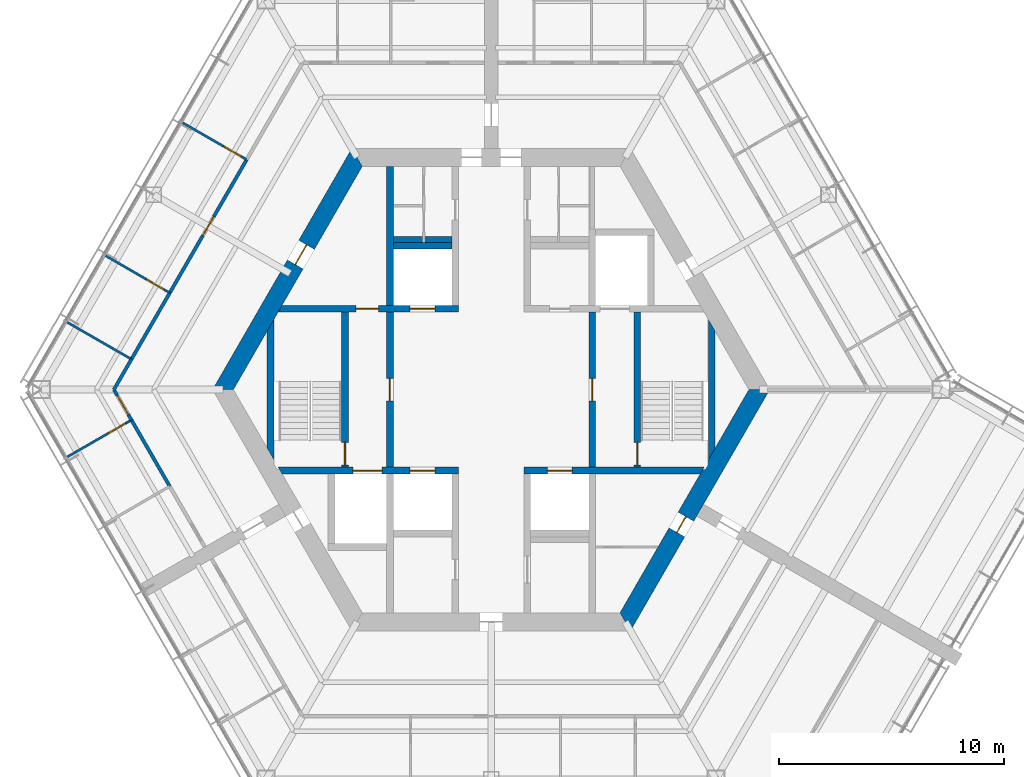
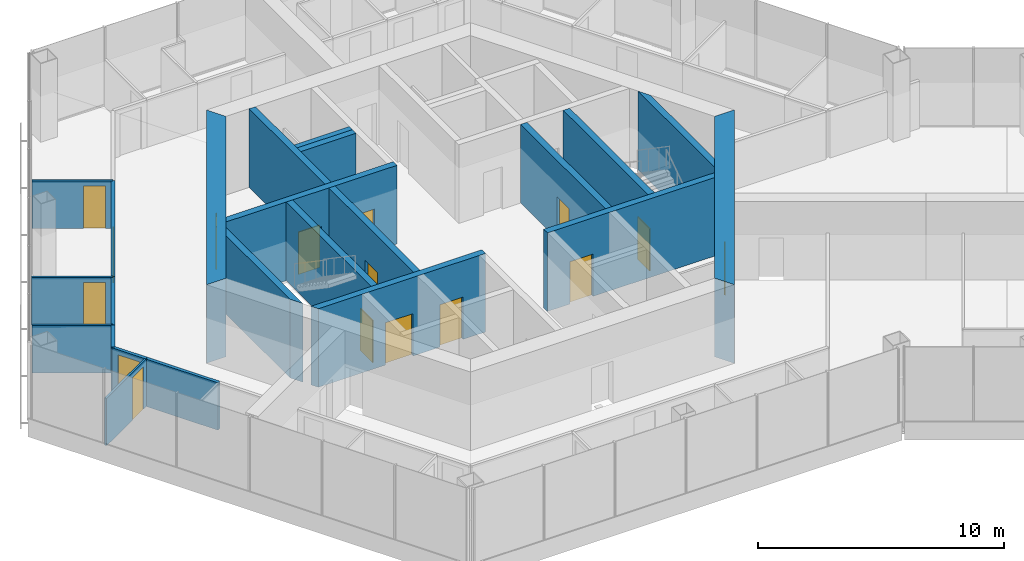
# One storey, part 8 of 13: 23 walls, 16 doors, 16 openings.
"""IFC4 building model written with IfcOpenShell, lengths in metres."""

from ifc_helpers import new_model, si_unit, direction, frame, frame_2d, origin, place, context, subcontext, project, spatial, polyline, rectangle, outline, extrude, material, layer, layer_set, type_object, element, fill, save


model = new_model("IFC4")

# Units and contexts
model_context = context("Model", 3, precision=1e-05, world=origin(), true_north=direction((0.0, 1.0)))
body_context = subcontext(model_context, "Body", "Model", "MODEL_VIEW")
ifc_project = project(units=[si_unit("LENGTHUNIT", "METRE"), si_unit("AREAUNIT", "SQUARE_METRE"), si_unit("VOLUMEUNIT", "CUBIC_METRE"), si_unit("PLANEANGLEUNIT", "RADIAN"), si_unit("MASSUNIT", "GRAM", prefix="KILO")], contexts=[model_context])

# Site, building, storey
site_placement = place(None, origin())
site = spatial("IfcSite", under=ifc_project, at=site_placement, CompositionType="ELEMENT")
building_placement = place(site_placement, origin())
building = spatial("IfcBuilding", under=site, at=building_placement, Name="Kasaneha Research Tower", CompositionType="ELEMENT")
storey_placement = place(building_placement, frame((0.0, 0.0, 298.60009765625)))
storey = spatial("IfcBuildingStorey", under=building, at=storey_placement, Name="L75", CompositionType="ELEMENT", Elevation=298.60009765625)

# Wall, openings, doors
ifc_material_1 = material(Name="Concrete Fc60", Category="concrete")
ifc_layer_1 = layer(ifc_material_1, 0.300048828125)
ifc_layer_set_1 = layer_set([ifc_layer_1], Name="Core internal wall 300 Fc60")
wall_type_1 = type_object("IfcWallType", Name="Core internal wall 300 Fc60", PredefinedType="SHEAR", material=ifc_layer_set_1)
wall_1_placement = place(storey_placement, frame((-9.3818359375, 3.60009765625, 0.0), z_axis=(0.0, 0.0, 1.0), x_axis=(1.0, 0.0, 0.0)))
wall_1 = element("IfcWall", 1, at=wall_1_placement, inside=storey, type_object=wall_type_1, Name="Core wall W1W L75", PredefinedType="SHEAR", context=body_context, shape_type="SweptSolid", body=[
    extrude(outline(polyline([(-0.086669921875, -0.14990234375), (3.3818359375, -0.14990234375), (4.3818359375, -0.14990234375), (5.781982421875, -0.14990234375), (6.882080078125, -0.14990234375), (7.931884765625, -0.14990234375), (7.931884765625, 0.14990234375), (6.882080078125, 0.14990234375), (5.781982421875, 0.14990234375), (4.3818359375, 0.14990234375), (3.3818359375, 0.14990234375), (0.086669921875, 0.14990234375), (-0.086669921875, -0.14990234375)])), origin(), (0.0, 0.0, 1.0), 3.89990234375),
])
opening_1_placement = place(wall_1_placement, frame((3.3818359375, 0.0, 0.0)))
opening_1 = element("IfcOpeningElement", 2, at=opening_1_placement, cuts=wall_1, Name="Opening L75-D12", PredefinedType="OPENING", context=body_context, shape_type="SweptSolid", body=[
    extrude(rectangle(XDim=1.0, YDim=2.10009765625, at=frame_2d((0.5, 1.050048828125))), frame((0.0, 0.16015625, 0.0), z_axis=(0.0, -1.0, 0.0), x_axis=(1.0, 0.0, 0.0)), (0.0, 0.0, 1.0), 0.320068359375),
])
opening_2_placement = place(wall_1_placement, frame((5.781982421875, 0.0, 0.0)))
opening_2 = element("IfcOpeningElement", 3, at=opening_2_placement, cuts=wall_1, Name="Opening LD-LH2-L75", PredefinedType="OPENING", context=body_context, shape_type="SweptSolid", body=[
    extrude(rectangle(XDim=1.10009765625, YDim=2.10009765625, at=frame_2d((0.550048828125, 1.050048828125))), frame((0.0, 0.16015625, 0.0), z_axis=(0.0, -1.0, 0.0), x_axis=(1.0, 0.0, 0.0)), (0.0, 0.0, 1.0), 0.320068359375),
])
ifc_material_2 = material(Name="Steel", Category="steel")
door_type_1 = type_object("IfcDoorType", Name="Lift landing door 1100x2100", OperationType="DOUBLE_DOOR_SLIDING", PredefinedType="DOOR", material=ifc_material_2)
door_1_placement = place(opening_2_placement, origin())
door_1 = element("IfcDoor", 4, at=door_1_placement, inside=storey, type_object=door_type_1, Name="Landing door LH2 LD-LH2-L75", OperationType="DOUBLE_DOOR_SLIDING", OverallHeight=2.10009765625, OverallWidth=1.10009765625, PredefinedType="DOOR", context=body_context, shape_type="SweptSolid", body=[
    extrude(rectangle(XDim=1.10009765625, YDim=2.10009765625, at=frame_2d((0.550048828125, 1.050048828125))), frame((0.0, 0.02490234375, 0.0), z_axis=(0.0, -1.0, 0.0), x_axis=(1.0, 0.0, 0.0)), (0.0, 0.0, 1.0), 0.050048828125),
])
fill(opening_2, door_1)
ifc_material_3 = material(Name="Steel", Category="steel")
door_type_2 = type_object("IfcDoorType", Name="Specified fire door FD60 1000x2100", OperationType="NOTDEFINED", PredefinedType="DOOR", material=ifc_material_3)
door_2_placement = place(opening_1_placement, origin())
door_2 = element("IfcDoor", 5, at=door_2_placement, inside=storey, type_object=door_type_2, Name="Vestibule to lobby door L75-D12", OperationType="SINGLE_SWING_LEFT", OverallHeight=2.10009765625, OverallWidth=1.0, PredefinedType="DOOR", context=body_context, shape_type="SweptSolid", body=[
    extrude(rectangle(XDim=1.0, YDim=2.10009765625, at=frame_2d((0.5, 1.050048828125))), frame((0.0, 0.02490234375, 0.0), z_axis=(0.0, -1.0, 0.0), x_axis=(1.0, 0.0, 0.0)), (0.0, 0.0, 1.0), 0.050048828125),
])
fill(opening_1, door_2)

wall_2_placement = place(storey_placement, frame((-9.3818359375, -3.60009765625, 0.0), z_axis=(0.0, 0.0, 1.0), x_axis=(1.0, 0.0, 0.0)))
wall_2 = element("IfcWall", 6, at=wall_2_placement, inside=storey, type_object=wall_type_1, Name="Core wall W2W L75", PredefinedType="SHEAR", context=body_context, shape_type="SweptSolid", body=[
    extrude(outline(polyline([(0.086669921875, -0.14990234375), (3.23193359375, -0.14990234375), (4.531982421875, -0.14990234375), (5.781982421875, -0.14990234375), (6.882080078125, -0.14990234375), (7.931884765625, -0.14990234375), (7.931884765625, 0.14990234375), (6.882080078125, 0.14990234375), (5.781982421875, 0.14990234375), (4.531982421875, 0.14990234375), (3.23193359375, 0.14990234375), (-0.086669921875, 0.14990234375), (0.086669921875, -0.14990234375)])), origin(), (0.0, 0.0, 1.0), 3.89990234375),
])
opening_3_placement = place(wall_2_placement, frame((5.781982421875, 0.0, 0.0)))
opening_3 = element("IfcOpeningElement", 7, at=opening_3_placement, cuts=wall_2, Name="Opening LD-LH1-L75", PredefinedType="OPENING", context=body_context, shape_type="SweptSolid", body=[
    extrude(rectangle(XDim=1.10009765625, YDim=2.10009765625, at=frame_2d((0.550048828125, 1.050048828125))), frame((0.0, 0.16015625, 0.0), z_axis=(0.0, -1.0, 0.0), x_axis=(1.0, 0.0, 0.0)), (0.0, 0.0, 1.0), 0.320068359375),
])
opening_4_placement = place(wall_2_placement, frame((3.23193359375, 0.0, 0.0)))
opening_4 = element("IfcOpeningElement", 8, at=opening_4_placement, cuts=wall_2, Name="Opening LD-FL2-L75", PredefinedType="OPENING", context=body_context, shape_type="SweptSolid", body=[
    extrude(rectangle(XDim=1.300048828125, YDim=2.10009765625, at=frame_2d((0.64990234375, 1.050048828125))), frame((0.0, 0.16015625, 0.0), z_axis=(0.0, -1.0, 0.0), x_axis=(1.0, 0.0, 0.0)), (0.0, 0.0, 1.0), 0.320068359375),
])
door_3_placement = place(opening_3_placement, origin())
door_3 = element("IfcDoor", 9, at=door_3_placement, inside=storey, type_object=door_type_1, Name="Landing door LH1 LD-LH1-L75", OperationType="DOUBLE_DOOR_SLIDING", OverallHeight=2.10009765625, OverallWidth=1.10009765625, PredefinedType="DOOR", context=body_context, shape_type="SweptSolid", body=[
    extrude(rectangle(XDim=1.10009765625, YDim=2.10009765625, at=frame_2d((0.550048828125, 1.050048828125))), frame((0.0, 0.02490234375, 0.0), z_axis=(0.0, -1.0, 0.0), x_axis=(1.0, 0.0, 0.0)), (0.0, 0.0, 1.0), 0.050048828125),
])
fill(opening_3, door_3)
ifc_material_4 = material(Name="Steel", Category="steel")
door_type_3 = type_object("IfcDoorType", Name="Lift landing door 1300x2100", OperationType="DOUBLE_DOOR_SLIDING", PredefinedType="DOOR", material=ifc_material_4)
door_4_placement = place(opening_4_placement, origin())
door_4 = element("IfcDoor", 10, at=door_4_placement, inside=storey, type_object=door_type_3, Name="Landing door FL2 LD-FL2-L75", OperationType="DOUBLE_DOOR_SLIDING", OverallHeight=2.10009765625, OverallWidth=1.300048828125, PredefinedType="DOOR", context=body_context, shape_type="SweptSolid", body=[
    extrude(rectangle(XDim=1.300048828125, YDim=2.10009765625, at=frame_2d((0.64990234375, 1.050048828125))), frame((0.0, 0.02490234375, 0.0), z_axis=(0.0, -1.0, 0.0), x_axis=(1.0, 0.0, 0.0)), (0.0, 0.0, 1.0), 0.050048828125),
])
fill(opening_4, door_4)

# Wall, opening, door
wall_3_placement = place(storey_placement, frame((1.449951171875, -3.60009765625, 0.0), z_axis=(0.0, 0.0, 1.0), x_axis=(1.0, 0.0, 0.0)))
wall_3 = element("IfcWall", 11, at=wall_3_placement, inside=storey, type_object=wall_type_1, Name="Core wall W2E L75", PredefinedType="SHEAR", context=body_context, shape_type="SweptSolid", body=[
    extrude(outline(polyline([(0.0, -0.14990234375), (1.050048828125, -0.14990234375), (2.150146484375, -0.14990234375), (7.84521484375, -0.14990234375), (8.0185546875, 0.14990234375), (2.150146484375, 0.14990234375), (1.050048828125, 0.14990234375), (0.0, 0.14990234375), (0.0, -0.14990234375)])), origin(), (0.0, 0.0, 1.0), 3.89990234375),
])
opening_5_placement = place(wall_3_placement, frame((1.050048828125, 0.0, 0.0)))
opening_5 = element("IfcOpeningElement", 12, at=opening_5_placement, cuts=wall_3, Name="Opening LD-LH3-L75", PredefinedType="OPENING", context=body_context, shape_type="SweptSolid", body=[
    extrude(rectangle(XDim=1.10009765625, YDim=2.10009765625, at=frame_2d((0.550048828125, 1.050048828125))), frame((0.0, 0.16015625, 0.0), z_axis=(0.0, -1.0, 0.0), x_axis=(1.0, 0.0, 0.0)), (0.0, 0.0, 1.0), 0.320068359375),
])
door_5_placement = place(opening_5_placement, origin())
door_5 = element("IfcDoor", 13, at=door_5_placement, inside=storey, type_object=door_type_1, Name="Landing door LH3 LD-LH3-L75", OperationType="DOUBLE_DOOR_SLIDING", OverallHeight=2.10009765625, OverallWidth=1.10009765625, PredefinedType="DOOR", context=body_context, shape_type="SweptSolid", body=[
    extrude(rectangle(XDim=1.10009765625, YDim=2.10009765625, at=frame_2d((0.550048828125, 1.050048828125))), frame((0.0, 0.02490234375, 0.0), z_axis=(0.0, -1.0, 0.0), x_axis=(1.0, 0.0, 0.0)), (0.0, 0.0, 1.0), 0.050048828125),
])
fill(opening_5, door_5)

wall_4_placement = place(storey_placement, frame((-4.5, -3.449951171875, 0.0), z_axis=(0.0, 0.0, 1.0), x_axis=(0.0, 1.0, 0.0)))
wall_4 = element("IfcWall", 14, at=wall_4_placement, inside=storey, type_object=wall_type_1, Name="Core wall LBW L75", PredefinedType="SHEAR", context=body_context, shape_type="SweptSolid", body=[
    extrude(rectangle(XDim=6.89990234375, YDim=0.300048828125, at=frame_2d((3.449951171875, 0.0))), origin(), (0.0, 0.0, 1.0), 3.89990234375),
])
opening_6_placement = place(wall_4_placement, frame((2.949951171875, 0.0, 0.0)))
opening_6 = element("IfcOpeningElement", 15, at=opening_6_placement, cuts=wall_4, Name="Opening L75-D09", PredefinedType="OPENING", context=body_context, shape_type="SweptSolid", body=[
    extrude(rectangle(XDim=1.0, YDim=2.10009765625, at=frame_2d((0.5, 1.050048828125))), frame((0.0, 0.16015625, 0.0), z_axis=(0.0, -1.0, 0.0), x_axis=(1.0, 0.0, 0.0)), (0.0, 0.0, 1.0), 0.320068359375),
])
door_6_placement = place(opening_6_placement, origin())
door_6 = element("IfcDoor", 16, at=door_6_placement, inside=storey, type_object=door_type_2, Name="Lift lobby door west L75-D09", OperationType="SINGLE_SWING_LEFT", OverallHeight=2.10009765625, OverallWidth=1.0, PredefinedType="DOOR", context=body_context, shape_type="SweptSolid", body=[
    extrude(rectangle(XDim=1.0, YDim=2.10009765625, at=frame_2d((0.5, 1.050048828125))), frame((0.0, 0.02490234375, 0.0), z_axis=(0.0, -1.0, 0.0), x_axis=(1.0, 0.0, 0.0)), (0.0, 0.0, 1.0), 0.050048828125),
])
fill(opening_6, door_6)

wall_5_placement = place(storey_placement, frame((4.5, -3.449951171875, 0.0), z_axis=(0.0, 0.0, 1.0), x_axis=(0.0, 1.0, 0.0)))
wall_5 = element("IfcWall", 17, at=wall_5_placement, inside=storey, type_object=wall_type_1, Name="Core wall LBE L75", PredefinedType="SHEAR", context=body_context, shape_type="SweptSolid", body=[
    extrude(rectangle(XDim=6.89990234375, YDim=0.300048828125, at=frame_2d((3.449951171875, 0.0))), origin(), (0.0, 0.0, 1.0), 3.89990234375),
])
opening_7_placement = place(wall_5_placement, frame((2.949951171875, 0.0, 0.0)))
opening_7 = element("IfcOpeningElement", 18, at=opening_7_placement, cuts=wall_5, Name="Opening L75-D08", PredefinedType="OPENING", context=body_context, shape_type="SweptSolid", body=[
    extrude(rectangle(XDim=1.0, YDim=2.10009765625, at=frame_2d((0.5, 1.050048828125))), frame((0.0, 0.16015625, 0.0), z_axis=(0.0, -1.0, 0.0), x_axis=(1.0, 0.0, 0.0)), (0.0, 0.0, 1.0), 0.320068359375),
])
door_7_placement = place(opening_7_placement, origin())
door_7 = element("IfcDoor", 19, at=door_7_placement, inside=storey, type_object=door_type_2, Name="Lift lobby door east L75-D08", OperationType="SINGLE_SWING_LEFT", OverallHeight=2.10009765625, OverallWidth=1.0, PredefinedType="DOOR", context=body_context, shape_type="SweptSolid", body=[
    extrude(rectangle(XDim=1.0, YDim=2.10009765625, at=frame_2d((0.5, 1.050048828125))), frame((0.0, 0.02490234375, 0.0), z_axis=(0.0, -1.0, 0.0), x_axis=(1.0, 0.0, 0.0)), (0.0, 0.0, 1.0), 0.050048828125),
])
fill(opening_7, door_7)

wall_6_placement = place(storey_placement, frame((-6.5, -3.449951171875, 0.0), z_axis=(0.0, 0.0, 1.0), x_axis=(0.0, 1.0, 0.0)))
wall_6 = element("IfcWall", 20, at=wall_6_placement, inside=storey, type_object=wall_type_1, Name="Core wall ANW L75", PredefinedType="SHEAR", context=body_context, shape_type="SweptSolid", body=[
    extrude(rectangle(XDim=6.89990234375, YDim=0.300048828125, at=frame_2d((3.449951171875, 0.0))), origin(), (0.0, 0.0, 1.0), 3.89990234375),
])
opening_8_placement = place(wall_6_placement, frame((0.10009765625, 0.0, 0.0)))
opening_8 = element("IfcOpeningElement", 21, at=opening_8_placement, cuts=wall_6, Name="Opening L75-D11", PredefinedType="OPENING", context=body_context, shape_type="SweptSolid", body=[
    extrude(rectangle(XDim=1.0, YDim=2.10009765625, at=frame_2d((0.5, 1.050048828125))), frame((0.0, 0.16015625, 0.0), z_axis=(0.0, -1.0, 0.0), x_axis=(1.0, 0.0, 0.0)), (0.0, 0.0, 1.0), 0.320068359375),
])
door_8_placement = place(opening_8_placement, origin())
door_8 = element("IfcDoor", 22, at=door_8_placement, inside=storey, type_object=door_type_2, Name="Stair 2 door L75-D11", OperationType="SINGLE_SWING_LEFT", OverallHeight=2.10009765625, OverallWidth=1.0, PredefinedType="DOOR", context=body_context, shape_type="SweptSolid", body=[
    extrude(rectangle(XDim=1.0, YDim=2.10009765625, at=frame_2d((0.5, 1.050048828125))), frame((0.0, 0.02490234375, 0.0), z_axis=(0.0, -1.0, 0.0), x_axis=(1.0, 0.0, 0.0)), (0.0, 0.0, 1.0), 0.050048828125),
])
fill(opening_8, door_8)

wall_7_placement = place(storey_placement, frame((6.5, -3.449951171875, 0.0), z_axis=(0.0, 0.0, 1.0), x_axis=(0.0, 1.0, 0.0)))
wall_7 = element("IfcWall", 23, at=wall_7_placement, inside=storey, type_object=wall_type_1, Name="Core wall ANE L75", PredefinedType="SHEAR", context=body_context, shape_type="SweptSolid", body=[
    extrude(rectangle(XDim=6.89990234375, YDim=0.300048828125, at=frame_2d((3.449951171875, 0.0))), origin(), (0.0, 0.0, 1.0), 3.89990234375),
])
opening_9_placement = place(wall_7_placement, frame((0.10009765625, 0.0, 0.0)))
opening_9 = element("IfcOpeningElement", 24, at=opening_9_placement, cuts=wall_7, Name="Opening L75-D10", PredefinedType="OPENING", context=body_context, shape_type="SweptSolid", body=[
    extrude(rectangle(XDim=1.0, YDim=2.10009765625, at=frame_2d((0.5, 1.050048828125))), frame((0.0, 0.16015625, 0.0), z_axis=(0.0, -1.0, 0.0), x_axis=(1.0, 0.0, 0.0)), (0.0, 0.0, 1.0), 0.320068359375),
])
door_9_placement = place(opening_9_placement, origin())
door_9 = element("IfcDoor", 25, at=door_9_placement, inside=storey, type_object=door_type_2, Name="Stair 1 door L75-D10", OperationType="SINGLE_SWING_LEFT", OverallHeight=2.10009765625, OverallWidth=1.0, PredefinedType="DOOR", context=body_context, shape_type="SweptSolid", body=[
    extrude(rectangle(XDim=1.0, YDim=2.10009765625, at=frame_2d((0.5, 1.050048828125))), frame((0.0, 0.02490234375, 0.0), z_axis=(0.0, -1.0, 0.0), x_axis=(1.0, 0.0, 0.0)), (0.0, 0.0, 1.0), 0.050048828125),
])
fill(opening_9, door_9)

# Walls
wall_8_placement = place(storey_placement, frame((-4.5, 3.75, 0.0), z_axis=(0.0, 0.0, 1.0), x_axis=(0.0, 1.0, 0.0)))
element("IfcWall", 26, at=wall_8_placement, inside=storey, type_object=wall_type_1, Name="Core wall VNW L75", PredefinedType="SHEAR", context=body_context, shape_type="SweptSolid", body=[
    extrude(rectangle(XDim=6.175048828125, YDim=0.300048828125, at=frame_2d((3.08740234375, 0.0))), origin(), (0.0, 0.0, 1.0), 3.89990234375),
])
wall_9_placement = place(storey_placement, frame((-4.35009765625, 6.39990234375, 0.0), z_axis=(0.0, 0.0, 1.0), x_axis=(1.0, 0.0, 0.0)))
element("IfcWall", 27, at=wall_9_placement, inside=storey, type_object=wall_type_1, Name="Core wall N1N L75", PredefinedType="SHEAR", context=body_context, shape_type="SweptSolid", body=[
    extrude(rectangle(XDim=2.60009765625, YDim=0.300048828125, at=frame_2d((1.300048828125, 0.0))), origin(), (0.0, 0.0, 1.0), 3.89990234375),
])
wall_10_placement = place(storey_placement, frame((9.807861328125, -2.8623046875, 0.0), z_axis=(0.0, 0.0, 1.0), x_axis=(0.0, 1.0, 0.0)))
element("IfcWall", 28, at=wall_10_placement, inside=storey, type_object=wall_type_1, Name="Core wall STE L75", PredefinedType="SHEAR", context=body_context, shape_type="SweptSolid", body=[
    extrude(outline(polyline([(0.259765625, -0.14990234375), (5.46484375, -0.14990234375), (5.984375, 0.14990234375), (-0.259765625, 0.14990234375), (0.259765625, -0.14990234375)])), origin(), (0.0, 0.0, 1.0), 3.89990234375),
])
wall_11_placement = place(storey_placement, frame((-9.807861328125, -2.8623046875, 0.0), z_axis=(0.0, 0.0, 1.0), x_axis=(0.0, 1.0, 0.0)))
element("IfcWall", 29, at=wall_11_placement, inside=storey, type_object=wall_type_1, Name="Core wall STW L75", PredefinedType="SHEAR", context=body_context, shape_type="SweptSolid", body=[
    extrude(outline(polyline([(-0.259765625, -0.14990234375), (5.984375, -0.14990234375), (5.46484375, 0.14990234375), (0.259765625, 0.14990234375), (-0.259765625, -0.14990234375)])), origin(), (0.0, 0.0, 1.0), 3.89990234375),
])

# Wall, opening, door
ifc_material_5 = material(Name="Concrete Fc60", Category="concrete")
ifc_layer_2 = layer(ifc_material_5, 0.800048828125)
ifc_layer_set_2 = layer_set([ifc_layer_2], Name="Core wall 800 Fc60")
wall_type_2 = type_object("IfcWallType", Name="Core wall 800 Fc60", PredefinedType="SHEAR", material=ifc_layer_set_2)
wall_12_placement = place(storey_placement, frame((-5.961181640625, 10.324951171875, 0.0), z_axis=(0.0, 0.0, 1.0), x_axis=(-0.500004296715, -0.866022923061, 0.0)))
wall_12 = element("IfcWall", 30, at=wall_12_placement, inside=storey, type_object=wall_type_2, Name="Core wall 150 L75", PredefinedType="SHEAR", context=body_context, shape_type="SweptSolid", body=[
    extrude(outline(polyline([(-0.23095703125, -0.39990234375), (4.494140625, -0.39990234375), (5.494140625, -0.39990234375), (12.1533203125, -0.39990234375), (11.69140625, 0.39990234375), (5.494140625, 0.39990234375), (4.494140625, 0.39990234375), (0.23095703125, 0.39990234375), (-0.23095703125, -0.39990234375)])), origin(), (0.0, 0.0, 1.0), 3.89990234375),
])
opening_10_placement = place(wall_12_placement, frame((4.494140625, 0.0, 0.0)))
opening_10 = element("IfcOpeningElement", 31, at=opening_10_placement, cuts=wall_12, Name="Opening L75-D07", PredefinedType="OPENING", context=body_context, shape_type="SweptSolid", body=[
    extrude(rectangle(XDim=1.0, YDim=2.10009765625, at=frame_2d((0.5, 1.050048828125))), frame((0.0, 0.41015625, 0.0), z_axis=(0.0, -1.0, 0.0), x_axis=(1.0, 0.0, 0.0)), (0.0, 0.0, 1.0), 0.820068359375),
])
ifc_material_6 = material(Name="Steel", Category="steel")
door_type_4 = type_object("IfcDoorType", Name="Fire door FD20 1000x2100", OperationType="NOTDEFINED", PredefinedType="DOOR", material=ifc_material_6)
door_10_placement = place(opening_10_placement, origin())
door_10 = element("IfcDoor", 32, at=door_10_placement, inside=storey, type_object=door_type_4, Name="Vestibule door L75-D07", OperationType="SINGLE_SWING_LEFT", OverallHeight=2.10009765625, OverallWidth=1.0, PredefinedType="DOOR", context=body_context, shape_type="SweptSolid", body=[
    extrude(rectangle(XDim=1.0, YDim=2.10009765625, at=frame_2d((0.5, 1.050048828125))), frame((0.0, 0.02490234375, 0.0), z_axis=(0.0, -1.0, 0.0), x_axis=(1.0, 0.0, 0.0)), (0.0, 0.0, 1.0), 0.050048828125),
])
fill(opening_10, door_10)

wall_13_placement = place(storey_placement, frame((5.961181640625, -10.324951171875, 0.0), z_axis=(0.0, 0.0, 1.0), x_axis=(0.500004296715, 0.866022923061, 0.0)))
wall_13 = element("IfcWall", 33, at=wall_13_placement, inside=storey, type_object=wall_type_2, Name="Core wall 330 L75", PredefinedType="SHEAR", context=body_context, shape_type="SweptSolid", body=[
    extrude(outline(polyline([(-0.23095703125, -0.39990234375), (4.593994140625, -0.39990234375), (5.39404296875, -0.39990234375), (12.1533203125, -0.39990234375), (11.69140625, 0.39990234375), (5.39404296875, 0.39990234375), (4.593994140625, 0.39990234375), (0.23095703125, 0.39990234375), (-0.23095703125, -0.39990234375)])), origin(), (0.0, 0.0, 1.0), 3.89990234375),
])
opening_11_placement = place(wall_13_placement, frame((4.593994140625, 0.0, 0.0)))
opening_11 = element("IfcOpeningElement", 34, at=opening_11_placement, cuts=wall_13, Name="Opening L75-D05", PredefinedType="OPENING", context=body_context, shape_type="SweptSolid", body=[
    extrude(rectangle(XDim=0.800048828125, YDim=2.10009765625, at=frame_2d((0.39990234375, 1.050048828125))), frame((0.0, 0.41015625, 0.0), z_axis=(0.0, -1.0, 0.0), x_axis=(1.0, 0.0, 0.0)), (0.0, 0.0, 1.0), 0.820068359375),
])
ifc_material_7 = material(Name="Steel", Category="steel")
door_type_5 = type_object("IfcDoorType", Name="Riser access door FD60 800x2100", OperationType="NOTDEFINED", PredefinedType="DOOR", material=ifc_material_7)
door_11_placement = place(opening_11_placement, origin())
door_11 = element("IfcDoor", 35, at=door_11_placement, inside=storey, type_object=door_type_5, Name="Pipe riser door L75-D05", OperationType="SINGLE_SWING_LEFT", OverallHeight=2.10009765625, OverallWidth=0.800048828125, PredefinedType="DOOR", context=body_context, shape_type="SweptSolid", body=[
    extrude(rectangle(XDim=0.800048828125, YDim=2.10009765625, at=frame_2d((0.39990234375, 1.050048828125))), frame((0.0, 0.02490234375, 0.0), z_axis=(0.0, -1.0, 0.0), x_axis=(1.0, 0.0, 0.0)), (0.0, 0.0, 1.0), 0.050048828125),
])
fill(opening_11, door_11)

ifc_material_8 = material(Name="Gypsum board on steel studs, one layer each side", Category="steel")
ifc_layer_3 = layer(ifc_material_8, 0.10009765625)
ifc_layer_set_3 = layer_set([ifc_layer_3], Name="Office partition 100")
wall_type_3 = type_object("IfcWallType", Name="Office partition 100", PredefinedType="PARTITIONING", material=ifc_layer_set_3)
wall_14_placement = place(storey_placement, frame((-10.868896484375, 10.224365234375, 0.0), z_axis=(0.0, 0.0, 1.0), x_axis=(-0.866757761015, 0.498729369218, 0.0)))
wall_14 = element("IfcWall", 36, at=wall_14_placement, inside=storey, type_object=wall_type_3, Name="Office partition FBN08 L75", PredefinedType="PARTITIONING", context=body_context, shape_type="SweptSolid", body=[
    extrude(rectangle(XDim=3.28564453125, YDim=0.10009765625, at=frame_2d((1.642822265625, 0.0))), origin(), (0.0, 0.0, 1.0), 2.349853515625),
])
opening_12_placement = place(wall_14_placement, frame((0.300048828125, 0.0, 0.0)))
opening_12 = element("IfcOpeningElement", 37, at=opening_12_placement, cuts=wall_14, Name="Opening L75-D40", PredefinedType="OPENING", context=body_context, shape_type="SweptSolid", body=[
    extrude(rectangle(XDim=0.89990234375, YDim=2.10009765625, at=frame_2d((0.449951171875, 1.050048828125))), frame((0.0, 0.06005859375, 0.0), z_axis=(0.0, -1.0, 0.0), x_axis=(1.0, 0.0, 0.0)), (0.0, 0.0, 1.0), 0.1201171875),
])
ifc_material_9 = material(Name="Timber veneer", Category="wood")
door_type_6 = type_object("IfcDoorType", Name="Office door 900x2100", OperationType="SINGLE_SWING_LEFT", PredefinedType="DOOR", material=ifc_material_9)
door_12_placement = place(opening_12_placement, origin())
door_12 = element("IfcDoor", 38, at=door_12_placement, inside=storey, type_object=door_type_6, Name="Executive office door L75-D40", OperationType="SINGLE_SWING_LEFT", OverallHeight=2.10009765625, OverallWidth=0.89990234375, PredefinedType="DOOR", context=body_context, shape_type="SweptSolid", body=[
    extrude(rectangle(XDim=0.89990234375, YDim=2.10009765625, at=frame_2d((0.449951171875, 1.050048828125))), frame((0.0, 0.02490234375, 0.0), z_axis=(0.0, -1.0, 0.0), x_axis=(1.0, 0.0, 0.0)), (0.0, 0.0, 1.0), 0.050048828125),
])
fill(opening_12, door_12)

wall_15_placement = place(storey_placement, frame((-17.15380859375, 5.9599609375, 0.0), z_axis=(0.0, 0.0, 1.0), x_axis=(0.865342122637, -0.501181614577, 0.0)))
wall_15 = element("IfcWall", 39, at=wall_15_placement, inside=storey, type_object=wall_type_3, Name="Office partition FBN09 L75", PredefinedType="PARTITIONING", context=body_context, shape_type="SweptSolid", body=[
    extrude(rectangle(XDim=3.310546875, YDim=0.10009765625, at=frame_2d((1.6552734375, 0.0))), origin(), (0.0, 0.0, 1.0), 2.349853515625),
])
opening_13_placement = place(wall_15_placement, frame((2.110595703125, 0.0, 0.0)))
opening_13 = element("IfcOpeningElement", 40, at=opening_13_placement, cuts=wall_15, Name="Opening L75-D41", PredefinedType="OPENING", context=body_context, shape_type="SweptSolid", body=[
    extrude(rectangle(XDim=0.89990234375, YDim=2.10009765625, at=frame_2d((0.449951171875, 1.050048828125))), frame((0.0, 0.06005859375, 0.0), z_axis=(0.0, -1.0, 0.0), x_axis=(1.0, 0.0, 0.0)), (0.0, 0.0, 1.0), 0.1201171875),
])
door_13_placement = place(opening_13_placement, origin())
door_13 = element("IfcDoor", 41, at=door_13_placement, inside=storey, type_object=door_type_6, Name="Board meeting room door L75-D41", OperationType="SINGLE_SWING_RIGHT", OverallHeight=2.10009765625, OverallWidth=0.89990234375, PredefinedType="DOOR", context=body_context, shape_type="SweptSolid", body=[
    extrude(rectangle(XDim=0.89990234375, YDim=2.10009765625, at=frame_2d((0.449951171875, 1.050048828125))), frame((0.0, 0.02490234375, 0.0), z_axis=(0.0, -1.0, 0.0), x_axis=(1.0, 0.0, 0.0)), (0.0, 0.0, 1.0), 0.050048828125),
])
fill(opening_13, door_13)

# Wall
wall_16_placement = place(storey_placement, frame((-15.9921875, 1.3505859375, 0.0), z_axis=(0.0, 0.0, 1.0), x_axis=(-0.866707153418, 0.498817311462, 0.0)))
element("IfcWall", 42, at=wall_16_placement, inside=storey, type_object=wall_type_3, Name="Office partition FBN10 L75", PredefinedType="PARTITIONING", context=body_context, shape_type="SweptSolid", body=[
    extrude(rectangle(XDim=3.28564453125, YDim=0.10009765625, at=frame_2d((1.642822265625, 0.0))), origin(), (0.0, 0.0, 1.0), 2.349853515625),
])

# Wall, opening, door
wall_17_placement = place(storey_placement, frame((-18.83984375, -2.989501953125, 0.0), z_axis=(0.0, 0.0, 1.0), x_axis=(0.866707153418, 0.498817311462, 0.0)))
wall_17 = element("IfcWall", 43, at=wall_17_placement, inside=storey, type_object=wall_type_3, Name="Office partition FBN12 L75", PredefinedType="PARTITIONING", context=body_context, shape_type="SweptSolid", body=[
    extrude(rectangle(XDim=3.28564453125, YDim=0.10009765625, at=frame_2d((1.642822265625, 0.0))), origin(), (0.0, 0.0, 1.0), 2.349853515625),
])
opening_14_placement = place(wall_17_placement, frame((2.085693359375, 0.0, 0.0)))
opening_14 = element("IfcOpeningElement", 44, at=opening_14_placement, cuts=wall_17, Name="Opening L75-D42", PredefinedType="OPENING", context=body_context, shape_type="SweptSolid", body=[
    extrude(rectangle(XDim=0.89990234375, YDim=2.10009765625, at=frame_2d((0.449951171875, 1.050048828125))), frame((0.0, 0.06005859375, 0.0), z_axis=(0.0, -1.0, 0.0), x_axis=(1.0, 0.0, 0.0)), (0.0, 0.0, 1.0), 0.1201171875),
])
door_14_placement = place(opening_14_placement, origin())
door_14 = element("IfcDoor", 45, at=door_14_placement, inside=storey, type_object=door_type_6, Name="Executive office door L75-D42", OperationType="SINGLE_SWING_RIGHT", OverallHeight=2.10009765625, OverallWidth=0.89990234375, PredefinedType="DOOR", context=body_context, shape_type="SweptSolid", body=[
    extrude(rectangle(XDim=0.89990234375, YDim=2.10009765625, at=frame_2d((0.449951171875, 1.050048828125))), frame((0.0, 0.02490234375, 0.0), z_axis=(0.0, -1.0, 0.0), x_axis=(1.0, 0.0, 0.0)), (0.0, 0.0, 1.0), 0.050048828125),
])
fill(opening_14, door_14)

# Walls
ifc_material_10 = material(Name="Gypsum board on steel studs, two layers each side", Category="steel")
ifc_layer_4 = layer(ifc_material_10, 0.14990234375)
ifc_layer_set_4 = layer_set([ifc_layer_4], Name="Suite partition 150")
wall_type_4 = type_object("IfcWallType", Name="Suite partition 150", PredefinedType="PARTITIONING", material=ifc_layer_set_4)
for number, where, z_axis, x_axis, name in (
    (46, (-15.9970703125, 1.34228515625, 0.0), (0.0, 0.0, 1.0), (0.500032973541, 0.866006365664, 0.0), "Suite partition FBN02 L75"),
    (47, (-14.2841796875, -4.308837890625, 0.0), (0.0, 0.0, 1.0), (-0.500032973541, 0.866006365664, 0.0), "Suite partition FBN03 L75"),
):
    element("IfcWall", number, at=place(storey_placement, frame(where, z_axis=z_axis, x_axis=x_axis)), inside=storey, type_object=wall_type_4, Name=name, PredefinedType="PARTITIONING", context=body_context, shape_type="SweptSolid", body=[
        extrude(rectangle(XDim=3.425537109375, YDim=0.14990234375, at=frame_2d((1.712890625, 0.0))), origin(), (0.0, 0.0, 1.0), 2.349853515625),
    ])

# Wall, opening, door
wall_18_placement = place(storey_placement, frame((-14.2890625, 4.30078125, 0.0), z_axis=(0.0, 0.0, 1.0), x_axis=(0.500020088259, 0.866013805512, 0.0)))
wall_18 = element("IfcWall", 48, at=wall_18_placement, inside=storey, type_object=wall_type_4, Name="Suite partition FBN05 L75", PredefinedType="PARTITIONING", context=body_context, shape_type="SweptSolid", body=[
    extrude(rectangle(XDim=6.840087890625, YDim=0.14990234375, at=frame_2d((3.419921875, 0.0))), origin(), (0.0, 0.0, 1.0), 2.349853515625),
])
opening_15_placement = place(wall_18_placement, frame((2.919921875, 0.0, 0.0)))
opening_15 = element("IfcOpeningElement", 49, at=opening_15_placement, cuts=wall_18, Name="Opening L75-D38", PredefinedType="OPENING", context=body_context, shape_type="SweptSolid", body=[
    extrude(rectangle(XDim=1.0, YDim=2.10009765625, at=frame_2d((0.5, 1.050048828125))), frame((0.0, 0.0849609375, 0.0), z_axis=(0.0, -1.0, 0.0), x_axis=(1.0, 0.0, 0.0)), (0.0, 0.0, 1.0), 0.169921875),
])
ifc_material_11 = material(Name="Steel", Category="steel")
door_type_7 = type_object("IfcDoorType", Name="Suite entrance door FD60 1000x2100", OperationType="NOTDEFINED", PredefinedType="DOOR", material=ifc_material_11)
door_15_placement = place(opening_15_placement, origin())
door_15 = element("IfcDoor", 50, at=door_15_placement, inside=storey, type_object=door_type_7, Name="Suite entrance door L75-D38", OperationType="SINGLE_SWING_RIGHT", OverallHeight=2.10009765625, OverallWidth=1.0, PredefinedType="DOOR", context=body_context, shape_type="SweptSolid", body=[
    extrude(rectangle(XDim=1.0, YDim=2.10009765625, at=frame_2d((0.5, 1.050048828125))), frame((0.0, 0.02490234375, 0.0), z_axis=(0.0, -1.0, 0.0), x_axis=(1.0, 0.0, 0.0)), (0.0, 0.0, 1.0), 0.050048828125),
])
fill(opening_15, door_15)

# Wall
wall_19_placement = place(storey_placement, frame((-16.77197265625, 0.0, 0.0), z_axis=(0.0, 0.0, 1.0), x_axis=(0.500011542666, 0.866018739521, 0.0)))
element("IfcWall", 51, at=wall_19_placement, inside=storey, type_object=wall_type_4, Name="Suite partition FBN06 L75", PredefinedType="PARTITIONING", context=body_context, shape_type="SweptSolid", body=[
    extrude(rectangle(XDim=1.5595703125, YDim=0.14990234375, at=frame_2d((0.77978515625, 0.0))), origin(), (0.0, 0.0, 1.0), 2.349853515625),
])

# Wall, opening, door
wall_20_placement = place(storey_placement, frame((-15.9921875, -1.3505859375, 0.0), z_axis=(0.0, 0.0, 1.0), x_axis=(-0.500011542666, 0.866018739521, 0.0)))
wall_20 = element("IfcWall", 52, at=wall_20_placement, inside=storey, type_object=wall_type_4, Name="Suite partition FBN07 L75", PredefinedType="PARTITIONING", context=body_context, shape_type="SweptSolid", body=[
    extrude(rectangle(XDim=1.5595703125, YDim=0.14990234375, at=frame_2d((0.77978515625, 0.0))), origin(), (0.0, 0.0, 1.0), 2.349853515625),
])
opening_16_placement = place(wall_20_placement, frame((0.27978515625, 0.0, 0.0)))
opening_16 = element("IfcOpeningElement", 53, at=opening_16_placement, cuts=wall_20, Name="Opening L75-D39", PredefinedType="OPENING", context=body_context, shape_type="SweptSolid", body=[
    extrude(rectangle(XDim=1.0, YDim=2.10009765625, at=frame_2d((0.5, 1.050048828125))), frame((0.0, 0.0849609375, 0.0), z_axis=(0.0, -1.0, 0.0), x_axis=(1.0, 0.0, 0.0)), (0.0, 0.0, 1.0), 0.169921875),
])
door_16_placement = place(opening_16_placement, origin())
door_16 = element("IfcDoor", 54, at=door_16_placement, inside=storey, type_object=door_type_7, Name="Suite entrance door L75-D39", OperationType="SINGLE_SWING_LEFT", OverallHeight=2.10009765625, OverallWidth=1.0, PredefinedType="DOOR", context=body_context, shape_type="SweptSolid", body=[
    extrude(rectangle(XDim=1.0, YDim=2.10009765625, at=frame_2d((0.5, 1.050048828125))), frame((0.0, 0.02490234375, 0.0), z_axis=(0.0, -1.0, 0.0), x_axis=(1.0, 0.0, 0.0)), (0.0, 0.0, 1.0), 0.050048828125),
])
fill(opening_16, door_16)

# Wall
ifc_material_12 = material(Name="Concrete block lining", Category="concrete")
ifc_layer_5 = layer(ifc_material_12, 0.25)
ifc_layer_set_5 = layer_set([ifc_layer_5], Name="WC plumbing wall 250")
wall_type_5 = type_object("IfcWallType", Name="WC plumbing wall 250", PredefinedType="PLUMBINGWALL", material=ifc_layer_set_5)
wall_21_placement = place(storey_placement, frame((-4.35009765625, 6.675048828125, 0.0), z_axis=(0.0, 0.0, 1.0), x_axis=(1.0, 0.0, 0.0)))
element("IfcWall", 55, at=wall_21_placement, inside=storey, type_object=wall_type_5, Name="WC plumbing wall M L75", PredefinedType="PLUMBINGWALL", context=body_context, shape_type="SweptSolid", body=[
    extrude(rectangle(XDim=2.60009765625, YDim=0.25, at=frame_2d((1.300048828125, 0.0))), origin(), (0.0, 0.0, 1.0), 3.89990234375),
])

save(model, "model.ifc")
